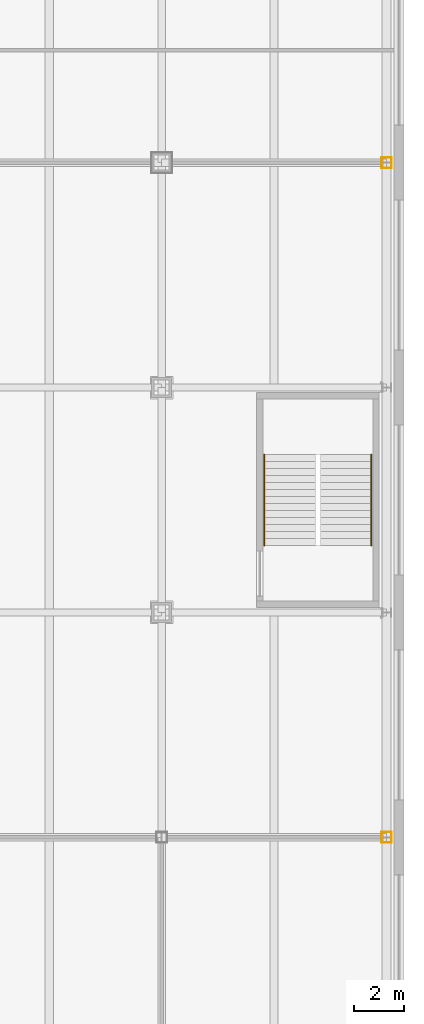
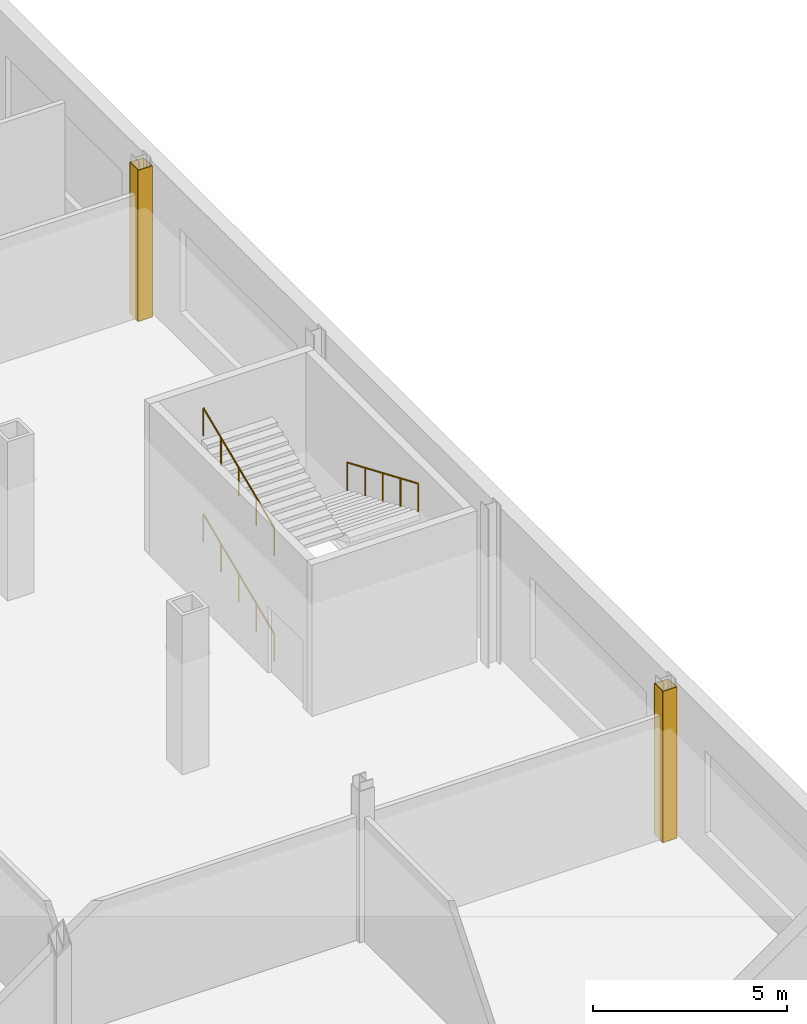
# One storey, part 28 of 31: 8 coverings, 3 railings.
"""IFC4 building model written with IfcOpenShell, lengths in metres."""

from ifc_helpers import new_model, si_unit, direction, frame, origin, origin_2d, place, context, subcontext, project, spatial, rectangle, circle, extrude, material, layer, layer_set, type_object, element, save


model = new_model("IFC4")

# Units and contexts
model_context = context("Model", 3, precision=1e-05, world=origin(), true_north=direction((0.0, 1.0)))
body_context = subcontext(model_context, "Body", "Model", "MODEL_VIEW")
ifc_project = project(units=[si_unit("LENGTHUNIT", "METRE"), si_unit("AREAUNIT", "SQUARE_METRE"), si_unit("VOLUMEUNIT", "CUBIC_METRE"), si_unit("PLANEANGLEUNIT", "RADIAN"), si_unit("MASSUNIT", "GRAM", prefix="KILO")], contexts=[model_context])

# Site, building, storey
site_placement = place(None, origin())
site = spatial("IfcSite", under=ifc_project, at=site_placement, CompositionType="ELEMENT")
building_placement = place(site_placement, origin())
building = spatial("IfcBuilding", under=site, at=building_placement, Name="Loomwork Tower", CompositionType="ELEMENT")
storey_placement = place(building_placement, frame((0.0, 0.0, 11.0)))
storey = spatial("IfcBuildingStorey", under=building, at=storey_placement, Name="L02", CompositionType="ELEMENT", Elevation=11.0)

# Coverings
ifc_material_1 = material(Name="Two-hour fire-rated gypsum board casing")
ifc_layer = layer(ifc_material_1, 0.02490234375)
ifc_layer_set = layer_set([ifc_layer], Name="Column fire casing 25")
covering_type = type_object("IfcCoveringType", Name="Column fire casing 25", PredefinedType="CLADDING", material=ifc_layer_set)
for number, where, z_axis, x_axis, name in (
    (1, (63.0, -8.790771484375, 0.0), (0.0, 0.0, 1.0), (1.0, 0.0, 0.0), "Column casing 63 -9 L02"),
    (2, (63.0, -9.209228515625, 0.0), (0.0, 0.0, 1.0), (1.0, 0.0, 0.0), "Column casing 63 -9 L02"),
):
    element("IfcCovering", number, at=place(storey_placement, frame(where, z_axis=z_axis, x_axis=x_axis)), inside=storey, type_object=covering_type, Name=name, PredefinedType="CLADDING", context=body_context, shape_type="SweptSolid", body=[
        extrude(rectangle(XDim=0.42578125, YDim=0.02490234375, at=origin_2d()), origin(), (0.0, 0.0, 1.0), 4.75),
    ])
for number, where, z_axis, x_axis, name in (
    (3, (63.200439453125, -9.0, 0.0), (0.0, 0.0, 1.0), (1.0, 0.0, 0.0), "Column casing 63 -9 L02"),
    (4, (62.799560546875, -9.0, 0.0), (0.0, 0.0, 1.0), (1.0, 0.0, 0.0), "Column casing 63 -9 L02"),
):
    element("IfcCovering", number, at=place(storey_placement, frame(where, z_axis=z_axis, x_axis=x_axis)), inside=storey, type_object=covering_type, Name=name, PredefinedType="CLADDING", context=body_context, shape_type="SweptSolid", body=[
        extrude(rectangle(XDim=0.02490234375, YDim=0.393798828125, at=origin_2d()), origin(), (0.0, 0.0, 1.0), 4.75),
    ])
for number, where, z_axis, x_axis, name in (
    (5, (63.0, 18.20947265625, 0.0), (0.0, 0.0, 1.0), (1.0, 0.0, 0.0), "Column casing 63 18 L02"),
    (6, (63.0, 17.79052734375, 0.0), (0.0, 0.0, 1.0), (1.0, 0.0, 0.0), "Column casing 63 18 L02"),
):
    element("IfcCovering", number, at=place(storey_placement, frame(where, z_axis=z_axis, x_axis=x_axis)), inside=storey, type_object=covering_type, Name=name, PredefinedType="CLADDING", context=body_context, shape_type="SweptSolid", body=[
        extrude(rectangle(XDim=0.42578125, YDim=0.02490234375, at=origin_2d()), origin(), (0.0, 0.0, 1.0), 4.75),
    ])
for number, where, z_axis, x_axis, name in (
    (7, (63.200439453125, 18.0, 0.0), (0.0, 0.0, 1.0), (1.0, 0.0, 0.0), "Column casing 63 18 L02"),
    (8, (62.799560546875, 18.0, 0.0), (0.0, 0.0, 1.0), (1.0, 0.0, 0.0), "Column casing 63 18 L02"),
):
    element("IfcCovering", number, at=place(storey_placement, frame(where, z_axis=z_axis, x_axis=x_axis)), inside=storey, type_object=covering_type, Name=name, PredefinedType="CLADDING", context=body_context, shape_type="SweptSolid", body=[
        extrude(rectangle(XDim=0.02490234375, YDim=0.393798828125, at=origin_2d()), origin(), (0.0, 0.0, 1.0), 4.75),
    ])

# Railings
ifc_material_2 = material(Name="Stainless steel handrail", Category="steel")
railing_type = type_object("IfcRailingType", Name="Handrail 900", PredefinedType="HANDRAIL", material=ifc_material_2)
railing_1_placement = place(storey_placement, frame((58.110107421875, 2.679931640625, 0.118896484375)))
element("IfcRailing", 9, at=railing_1_placement, inside=storey, type_object=railing_type, Name="Podium stair PS6 handrail flight 1 L02", PredefinedType="HANDRAIL", context=body_context, shape_type="SweptSolid", body=[
    extrude(circle(Radius=0.02392578125, at=origin_2d()), frame((0.0, 0.0, 0.8759765625), z_axis=(0.0, 0.920258693564, 0.391310537706), x_axis=(-1.0, 0.0, 0.0)), (0.0, 0.0, 1.0), 3.95556640625),
    extrude(circle(Radius=0.02099609375, at=origin_2d()), origin(), (0.0, 0.0, 1.0), 0.851806640625),
    extrude(circle(Radius=0.02099609375, at=origin_2d()), frame((0.0, 0.91015625, 0.386962890625)), (0.0, 0.0, 1.0), 0.851806640625),
    extrude(circle(Radius=0.02099609375, at=origin_2d()), frame((0.0, 1.820068359375, 0.77392578125)), (0.0, 0.0, 1.0), 0.851806640625),
    extrude(circle(Radius=0.02099609375, at=origin_2d()), frame((0.0, 2.72998046875, 1.160888671875)), (0.0, 0.0, 1.0), 0.851806640625),
    extrude(circle(Radius=0.02099609375, at=origin_2d()), frame((0.0, 3.64013671875, 1.5478515625)), (0.0, 0.0, 1.0), 0.851806640625),
])
railing_2_placement = place(storey_placement, frame((62.389892578125, 6.320068359375, 1.78564453125)))
element("IfcRailing", 10, at=railing_2_placement, inside=storey, type_object=railing_type, Name="Podium stair PS6 handrail flight 2 L02", PredefinedType="HANDRAIL", context=body_context, shape_type="SweptSolid", body=[
    extrude(circle(Radius=0.02392578125, at=origin_2d()), frame((0.0, 0.0, 0.8759765625), z_axis=(0.0, -0.920258693564, 0.391310537706), x_axis=(1.0, 0.0, 0.0)), (0.0, 0.0, 1.0), 3.95556640625),
    extrude(circle(Radius=0.02099609375, at=origin_2d()), origin(), (0.0, 0.0, 1.0), 0.851806640625),
    extrude(circle(Radius=0.02099609375, at=origin_2d()), frame((0.0, -0.91015625, 0.386962890625)), (0.0, 0.0, 1.0), 0.851806640625),
    extrude(circle(Radius=0.02099609375, at=origin_2d()), frame((0.0, -1.820068359375, 0.77392578125)), (0.0, 0.0, 1.0), 0.851806640625),
    extrude(circle(Radius=0.02099609375, at=origin_2d()), frame((0.0, -2.72998046875, 1.160888671875)), (0.0, 0.0, 1.0), 0.851806640625),
    extrude(circle(Radius=0.02099609375, at=origin_2d()), frame((0.0, -3.64013671875, 1.5478515625)), (0.0, 0.0, 1.0), 0.851806640625),
])
railing_3_placement = place(storey_placement, frame((58.110107421875, 2.679931640625, 3.452392578125)))
element("IfcRailing", 11, at=railing_3_placement, inside=storey, type_object=railing_type, Name="Podium stair PS6 handrail flight 3 L02", PredefinedType="HANDRAIL", context=body_context, shape_type="SweptSolid", body=[
    extrude(circle(Radius=0.02392578125, at=origin_2d()), frame((0.0, 0.0, 0.8759765625), z_axis=(0.0, 0.920280918742, 0.391258265855), x_axis=(-1.0, 0.0, 0.0)), (0.0, 0.0, 1.0), 3.95556640625),
    extrude(circle(Radius=0.02099609375, at=origin_2d()), origin(), (0.0, 0.0, 1.0), 0.851806640625),
    extrude(circle(Radius=0.02099609375, at=origin_2d()), frame((0.0, 0.91015625, 0.386962890625)), (0.0, 0.0, 1.0), 0.851806640625),
    extrude(circle(Radius=0.02099609375, at=origin_2d()), frame((0.0, 1.820068359375, 0.77392578125)), (0.0, 0.0, 1.0), 0.851806640625),
    extrude(circle(Radius=0.02099609375, at=origin_2d()), frame((0.0, 2.72998046875, 1.16064453125)), (0.0, 0.0, 1.0), 0.851806640625),
    extrude(circle(Radius=0.02099609375, at=origin_2d()), frame((0.0, 3.64013671875, 1.547607421875)), (0.0, 0.0, 1.0), 0.851806640625),
])

save(model, "model.ifc")
